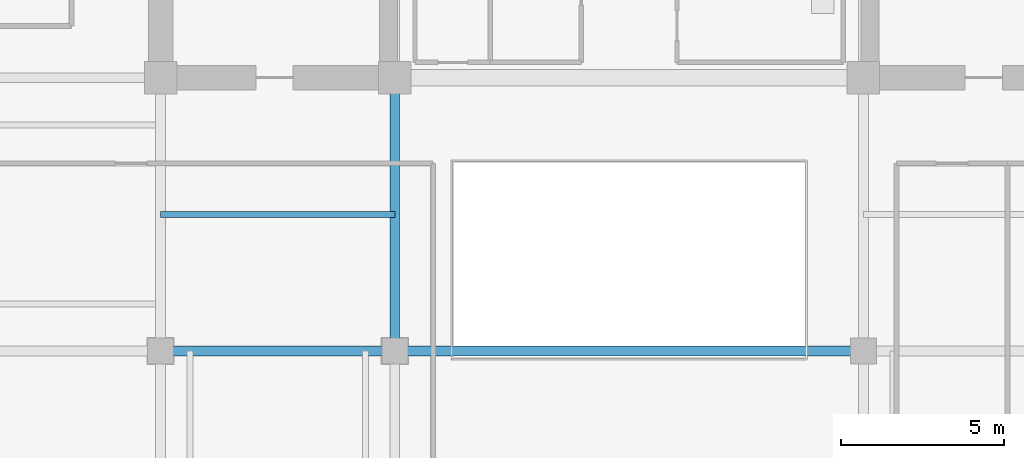
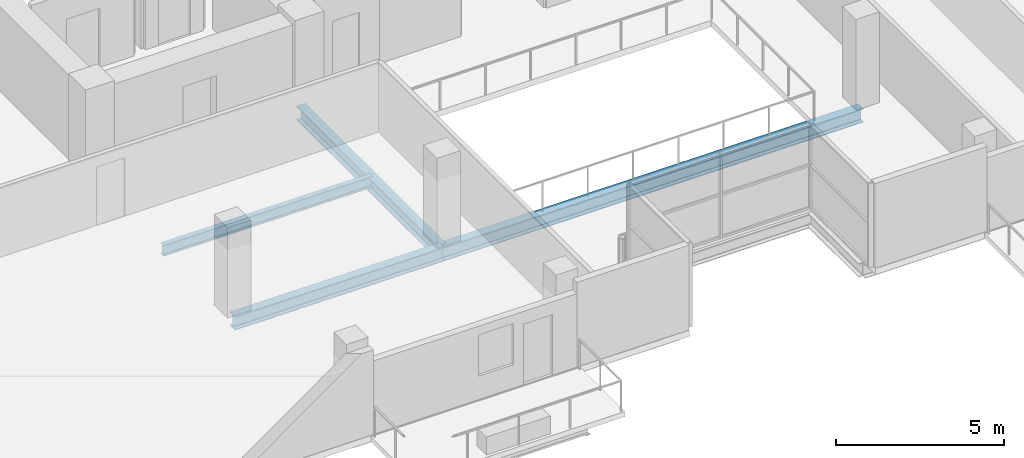
# One storey, part 3 of 21: 4 beams.
"""IFC4 building model written with IfcOpenShell, lengths in metres."""

from ifc_helpers import new_model, si_unit, direction, frame, origin, origin_2d, place, context, subcontext, project, spatial, i_section, extrude, material, material_profile, profile_set, type_object, element, save


model = new_model("IFC4")

# Units and contexts
model_context = context("Model", 3, precision=1e-05, world=origin(), true_north=direction((0.0, 1.0)))
body_context = subcontext(model_context, "Body", "Model", "MODEL_VIEW")
ifc_project = project(units=[si_unit("LENGTHUNIT", "METRE"), si_unit("AREAUNIT", "SQUARE_METRE"), si_unit("VOLUMEUNIT", "CUBIC_METRE"), si_unit("PLANEANGLEUNIT", "RADIAN"), si_unit("MASSUNIT", "GRAM", prefix="KILO")], contexts=[model_context])

# Site, building, storey
site_placement = place(None, origin())
site = spatial("IfcSite", under=ifc_project, at=site_placement, CompositionType="ELEMENT")
building_placement = place(site_placement, origin())
building = spatial("IfcBuilding", under=site, at=building_placement, Name="Zarnakvel Exchange Tower", CompositionType="ELEMENT")
storey_placement = place(building_placement, frame((0.0, 0.0, 152.800048828125)))
storey = spatial("IfcBuildingStorey", under=building, at=storey_placement, Name="L42", CompositionType="ELEMENT", Elevation=152.800048828125)

# Beams
ifc_material = material(Name="Steel S355", Category="steel")
ifc_material_profile_1 = material_profile(ifc_material, i_section(OverallWidth=0.179931640625, OverallDepth=0.39990234375, WebThickness=0.008544921875, FlangeThickness=0.013427734375, FilletRadius=0.02099609375, at=origin_2d()))
ifc_profile_set_1 = profile_set([ifc_material_profile_1], Name="Steel S355")
beam_type_1 = type_object("IfcBeamType", Name="B-06", PredefinedType="JOIST", material=ifc_profile_set_1)
beam_1_placement = place(storey_placement, frame((-14.39990234375, -5.39990234375, -0.425048828125), z_axis=(1.0, 0.0, 0.0), x_axis=(0.0, 1.0, 0.0)))
element("IfcBeam", 1, at=beam_1_placement, inside=storey, type_object=beam_type_1, Name="L42 Composite Floor Secondary Joist", PredefinedType="JOIST", context=body_context, shape_type="SweptSolid", body=[
    extrude(i_section(OverallWidth=0.179931640625, OverallDepth=0.39990234375, WebThickness=0.008544921875, FlangeThickness=0.013427734375, FilletRadius=0.02099609375, at=origin_2d()), origin(), (0.0, 0.0, 1.0), 7.199951171875),
])
ifc_material_profile_2 = material_profile(ifc_material, i_section(OverallWidth=0.300048828125, OverallDepth=0.5, WebThickness=0.014404296875, FlangeThickness=0.028076171875, FilletRadius=0.027099609375, at=origin_2d()))
ifc_profile_set_2 = profile_set([ifc_material_profile_2], Name="Steel S355")
beam_type_2 = type_object("IfcBeamType", Name="G-06", PredefinedType="BEAM", material=ifc_profile_set_2)
beam_2_placement = place(storey_placement, frame((-14.39990234375, -9.60009765625, -0.47509765625), z_axis=(1.0, 0.0, 0.0), x_axis=(0.0, 1.0, 0.0)))
element("IfcBeam", 2, at=beam_2_placement, inside=storey, type_object=beam_type_2, Name="L42 Tower E-W Frame Beam", PredefinedType="BEAM", context=body_context, shape_type="SweptSolid", body=[
    extrude(i_section(OverallWidth=0.300048828125, OverallDepth=0.5, WebThickness=0.014404296875, FlangeThickness=0.028076171875, FilletRadius=0.027099609375, at=origin_2d()), origin(), (0.0, 0.0, 1.0), 7.199951171875),
])
beam_3_placement = place(storey_placement, frame((-7.199951171875, -9.60009765625, -0.47509765625), z_axis=(1.0, 0.0, 0.0), x_axis=(0.0, 1.0, 0.0)))
element("IfcBeam", 3, at=beam_3_placement, inside=storey, type_object=beam_type_2, Name="L42 Tower E-W Frame Beam", PredefinedType="BEAM", context=body_context, shape_type="SweptSolid", body=[
    extrude(i_section(OverallWidth=0.300048828125, OverallDepth=0.5, WebThickness=0.014404296875, FlangeThickness=0.028076171875, FilletRadius=0.027099609375, at=origin_2d()), origin(), (0.0, 0.0, 1.0), 14.39990234375),
])
beam_4_placement = place(storey_placement, frame((-7.199951171875, -9.60009765625, -0.47509765625), z_axis=(0.0, 1.0, 0.0), x_axis=(-1.0, 0.0, 0.0)))
element("IfcBeam", 4, at=beam_4_placement, inside=storey, type_object=beam_type_2, Name="L42 Tower N-S Frame Beam", PredefinedType="BEAM", context=body_context, shape_type="SweptSolid", body=[
    extrude(i_section(OverallWidth=0.300048828125, OverallDepth=0.5, WebThickness=0.014404296875, FlangeThickness=0.028076171875, FilletRadius=0.027099609375, at=origin_2d()), origin(), (0.0, 0.0, 1.0), 8.400146484375),
])

save(model, "model.ifc")
